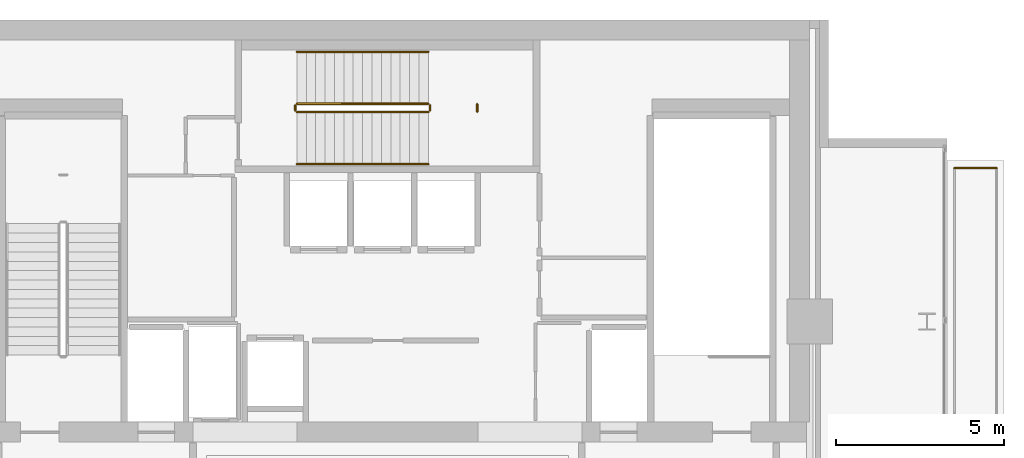
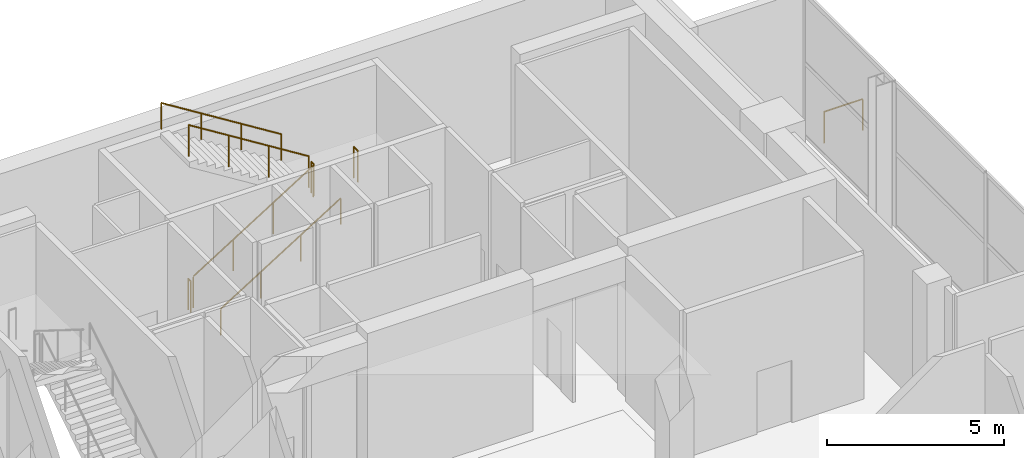
# One storey, part 19 of 19: 8 railings.
"""IFC4 building model written with IfcOpenShell, lengths in metres."""

from ifc_helpers import new_model, si_unit, direction, frame, origin, origin_2d, place, context, subcontext, project, spatial, circle, extrude, material, type_object, element, save


model = new_model("IFC4")

# Units and contexts
model_context = context("Model", 3, precision=1e-05, world=origin(), true_north=direction((0.0, 1.0)))
body_context = subcontext(model_context, "Body", "Model", "MODEL_VIEW")
ifc_project = project(units=[si_unit("LENGTHUNIT", "METRE"), si_unit("AREAUNIT", "SQUARE_METRE"), si_unit("VOLUMEUNIT", "CUBIC_METRE"), si_unit("PLANEANGLEUNIT", "RADIAN"), si_unit("MASSUNIT", "GRAM", prefix="KILO")], contexts=[model_context])

# Site, building, storey
site_placement = place(None, origin())
site = spatial("IfcSite", under=ifc_project, at=site_placement, CompositionType="ELEMENT")
building_placement = place(site_placement, origin())
building = spatial("IfcBuilding", under=site, at=building_placement, Name="Maruvema Waterfront Hotel and Observation Tower", CompositionType="ELEMENT")
storey_placement = place(building_placement, frame((0.0, 0.0, 359.10009765625)))
storey = spatial("IfcBuildingStorey", under=building, at=storey_placement, Name="L88", CompositionType="ELEMENT", Elevation=359.10009765625)

# Railings
ifc_material_1 = material(Name="Brushed stainless steel Grade 316", Category="steel")
railing_type_1 = type_object("IfcRailingType", Name="Ramp Continuous Wall Handrail 920 mm", PredefinedType="HANDRAIL", material=ifc_material_1)
railing_1_placement = place(storey_placement, frame((35.10009765625, 49.699951171875, 0.1748046875)))
element("IfcRailing", 1, at=railing_1_placement, inside=storey, type_object=railing_type_1, Name="L88 ST-02 stair handrail 1", PredefinedType="HANDRAIL", context=body_context, shape_type="SweptSolid", body=[
    extrude(circle(Radius=0.02392578125, at=origin_2d()), frame((0.0, 0.0, 0.89599609375), z_axis=(0.847974566722, 0.0, 0.530036917764), x_axis=(0.0, 1.0, 0.0)), (0.0, 0.0, 1.0), 4.622802734375),
    extrude(circle(Radius=0.02099609375, at=origin_2d()), origin(), (0.0, 0.0, 1.0), 0.871826171875),
    extrude(circle(Radius=0.02099609375, at=origin_2d()), frame((1.306640625, 0.0, 0.816650390625)), (0.0, 0.0, 1.0), 0.871826171875),
    extrude(circle(Radius=0.02099609375, at=origin_2d()), frame((2.61328125, 0.0, 1.633544921875)), (0.0, 0.0, 1.0), 0.871826171875),
    extrude(circle(Radius=0.02099609375, at=origin_2d()), frame((3.919921875, 0.0, 2.4501953125)), (0.0, 0.0, 1.0), 0.871826171875),
])
railing_2_placement = place(storey_placement, frame((39.02001953125, 53.050048828125, 2.7998046875)))
element("IfcRailing", 2, at=railing_2_placement, inside=storey, type_object=railing_type_1, Name="L88 ST-02 stair handrail 2", PredefinedType="HANDRAIL", context=body_context, shape_type="SweptSolid", body=[
    extrude(circle(Radius=0.02392578125, at=origin_2d()), frame((0.0, 0.0, 0.89599609375), z_axis=(-0.847974566722, 0.0, 0.530036917764), x_axis=(0.0, -1.0, 0.0)), (0.0, 0.0, 1.0), 4.622802734375),
    extrude(circle(Radius=0.02099609375, at=origin_2d()), origin(), (0.0, 0.0, 1.0), 0.871826171875),
    extrude(circle(Radius=0.02099609375, at=origin_2d()), frame((-1.306640625, 0.0, 0.816650390625)), (0.0, 0.0, 1.0), 0.871826171875),
    extrude(circle(Radius=0.02099609375, at=origin_2d()), frame((-2.61328125, 0.0, 1.633544921875)), (0.0, 0.0, 1.0), 0.871826171875),
    extrude(circle(Radius=0.02099609375, at=origin_2d()), frame((-3.919921875, 0.0, 2.4501953125)), (0.0, 0.0, 1.0), 0.871826171875),
])
ifc_material_2 = material(Name="Brushed stainless steel Grade 316", Category="steel")
railing_type_2 = type_object("IfcRailingType", Name="Ramp and Terrace Guard Balustrade 1100 mm", PredefinedType="BALUSTRADE", material=ifc_material_2)
railing_3_placement = place(storey_placement, frame((35.10009765625, 51.25, 0.1748046875)))
element("IfcRailing", 3, at=railing_3_placement, inside=storey, type_object=railing_type_2, Name="L88 ST-02 stair guard 1", PredefinedType="BALUSTRADE", context=body_context, shape_type="SweptSolid", body=[
    extrude(circle(Radius=0.02392578125, at=origin_2d()), frame((0.0, 0.0, 1.076171875), z_axis=(0.847974566722, 0.0, 0.530036917764), x_axis=(0.0, 1.0, 0.0)), (0.0, 0.0, 1.0), 4.622802734375),
    extrude(circle(Radius=0.02099609375, at=origin_2d()), origin(), (0.0, 0.0, 1.0), 1.052001953125),
    extrude(circle(Radius=0.02099609375, at=origin_2d()), frame((1.306640625, 0.0, 0.816650390625)), (0.0, 0.0, 1.0), 1.052001953125),
    extrude(circle(Radius=0.02099609375, at=origin_2d()), frame((2.61328125, 0.0, 1.633544921875)), (0.0, 0.0, 1.0), 1.052001953125),
    extrude(circle(Radius=0.02099609375, at=origin_2d()), frame((3.919921875, 0.0, 2.4501953125)), (0.0, 0.0, 1.0), 1.052001953125),
])
railing_4_placement = place(storey_placement, frame((39.070068359375, 51.300048828125, 2.625)))
element("IfcRailing", 4, at=railing_4_placement, inside=storey, type_object=railing_type_2, Name="L88 ST-02 stair guard 2", PredefinedType="BALUSTRADE", context=body_context, shape_type="SweptSolid", body=[
    extrude(circle(Radius=0.02392578125, at=origin_2d()), frame((0.0, 0.0, 1.076171875), z_axis=(0.0, 1.0, 0.0), x_axis=(-1.0, 0.0, 0.0)), (0.0, 0.0, 1.0), 0.14990234375),
    extrude(circle(Radius=0.02099609375, at=origin_2d()), origin(), (0.0, 0.0, 1.0), 1.052001953125),
    extrude(circle(Radius=0.02099609375, at=origin_2d()), frame((0.0, 0.14990234375, 0.0)), (0.0, 0.0, 1.0), 1.052001953125),
])
railing_5_placement = place(storey_placement, frame((39.02001953125, 51.5, 2.7998046875)))
element("IfcRailing", 5, at=railing_5_placement, inside=storey, type_object=railing_type_2, Name="L88 ST-02 stair guard 3", PredefinedType="BALUSTRADE", context=body_context, shape_type="SweptSolid", body=[
    extrude(circle(Radius=0.02392578125, at=origin_2d()), frame((0.0, 0.0, 1.076171875), z_axis=(-0.847974566722, 0.0, 0.530036917764), x_axis=(0.0, -1.0, 0.0)), (0.0, 0.0, 1.0), 4.622802734375),
    extrude(circle(Radius=0.02099609375, at=origin_2d()), origin(), (0.0, 0.0, 1.0), 1.052001953125),
    extrude(circle(Radius=0.02099609375, at=origin_2d()), frame((-1.306640625, 0.0, 0.816650390625)), (0.0, 0.0, 1.0), 1.052001953125),
    extrude(circle(Radius=0.02099609375, at=origin_2d()), frame((-2.61328125, 0.0, 1.633544921875)), (0.0, 0.0, 1.0), 1.052001953125),
    extrude(circle(Radius=0.02099609375, at=origin_2d()), frame((-3.919921875, 0.0, 2.4501953125)), (0.0, 0.0, 1.0), 1.052001953125),
])
railing_6_placement = place(storey_placement, frame((35.050048828125, 51.300048828125, 0.0)))
element("IfcRailing", 6, at=railing_6_placement, inside=storey, type_object=railing_type_2, Name="L88 ST-02 stair guard 4", PredefinedType="BALUSTRADE", context=body_context, shape_type="SweptSolid", body=[
    extrude(circle(Radius=0.02392578125, at=origin_2d()), frame((0.0, 0.0, 1.076171875), z_axis=(0.0, 1.0, 0.0), x_axis=(-1.0, 0.0, 0.0)), (0.0, 0.0, 1.0), 0.14990234375),
    extrude(circle(Radius=0.02099609375, at=origin_2d()), origin(), (0.0, 0.0, 1.0), 1.052001953125),
    extrude(circle(Radius=0.02099609375, at=origin_2d()), frame((0.0, 0.14990234375, 0.0)), (0.0, 0.0, 1.0), 1.052001953125),
])
railing_7_placement = place(storey_placement, frame((40.47998046875, 51.260009765625, 2.625)))
element("IfcRailing", 7, at=railing_7_placement, inside=storey, type_object=railing_type_2, Name="L88 ST-02 Half-Landing Slot Guard", PredefinedType="BALUSTRADE", context=body_context, shape_type="SweptSolid", body=[
    extrude(circle(Radius=0.02392578125, at=origin_2d()), frame((0.0, 0.0, 1.076171875), z_axis=(0.0, 1.0, 0.0), x_axis=(-1.0, 0.0, 0.0)), (0.0, 0.0, 1.0), 0.22998046875),
    extrude(circle(Radius=0.02099609375, at=origin_2d()), origin(), (0.0, 0.0, 1.0), 1.052001953125),
    extrude(circle(Radius=0.02099609375, at=origin_2d()), frame((0.0, 0.22998046875, 0.0)), (0.0, 0.0, 1.0), 1.052001953125),
])
railing_8_placement = place(storey_placement, frame((54.719970703125, 49.580078125, 0.0)))
element("IfcRailing", 8, at=railing_8_placement, inside=storey, type_object=railing_type_2, Name="L88 Perimeter Safety Balustrade 16", PredefinedType="BALUSTRADE", context=body_context, shape_type="SweptSolid", body=[
    extrude(circle(Radius=0.02392578125, at=origin_2d()), frame((0.0, 0.0, 1.076171875), z_axis=(1.0, 0.0, 0.0), x_axis=(0.0, 1.0, 0.0)), (0.0, 0.0, 1.0), 1.260009765625),
    extrude(circle(Radius=0.02099609375, at=origin_2d()), origin(), (0.0, 0.0, 1.0), 1.052001953125),
    extrude(circle(Radius=0.02099609375, at=origin_2d()), frame((1.260009765625, 0.0, 0.0)), (0.0, 0.0, 1.0), 1.052001953125),
])

save(model, "model.ifc")
